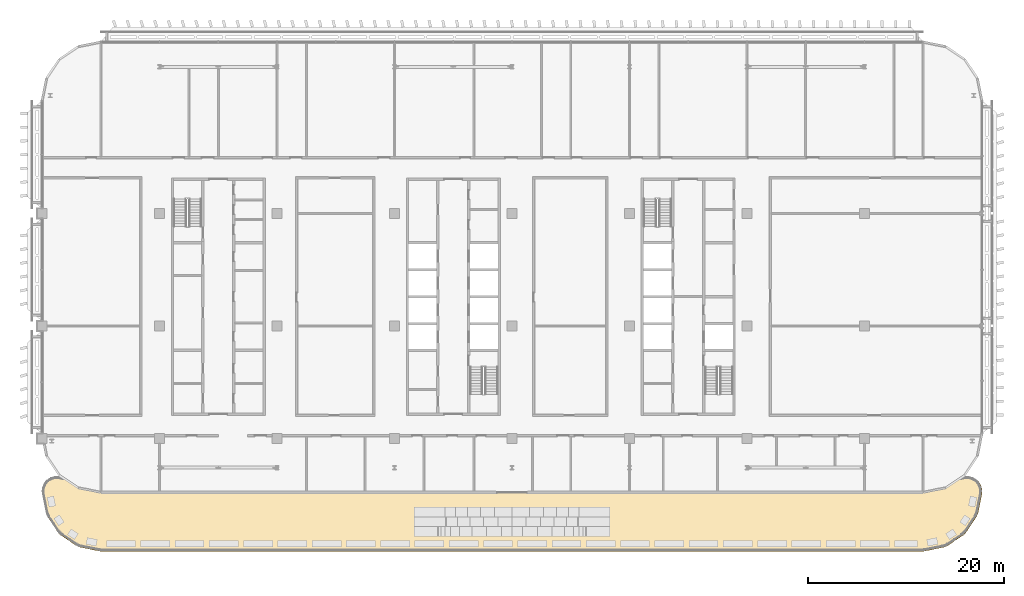
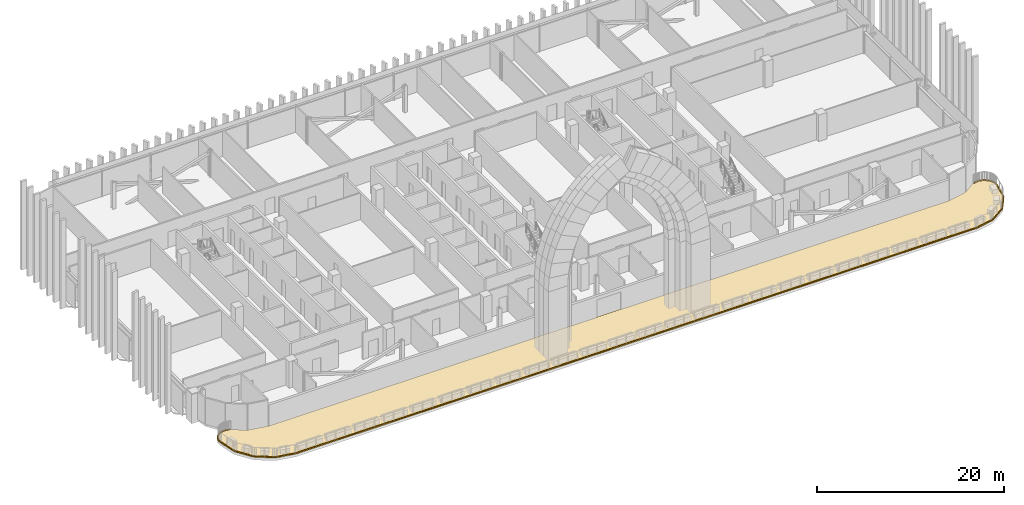
# One storey, part 24 of 30: 2 coverings.
"""IFC4 building model written with IfcOpenShell, lengths in metres."""

from ifc_helpers import new_model, si_unit, direction, frame, origin, place, context, subcontext, project, spatial, polyline, outline, extrude, material, layer, layer_set, type_object, element, save


model = new_model("IFC4")

# Units and contexts
model_context = context("Model", 3, precision=1e-05, world=origin(), true_north=direction((0.0, 1.0)))
body_context = subcontext(model_context, "Body", "Model", "MODEL_VIEW")
ifc_project = project(units=[si_unit("LENGTHUNIT", "METRE"), si_unit("AREAUNIT", "SQUARE_METRE"), si_unit("VOLUMEUNIT", "CUBIC_METRE"), si_unit("PLANEANGLEUNIT", "RADIAN"), si_unit("MASSUNIT", "GRAM", prefix="KILO")], contexts=[model_context])

# Site, building, storey
site_placement = place(None, origin())
site = spatial("IfcSite", under=ifc_project, at=site_placement, CompositionType="ELEMENT")
building_placement = place(site_placement, origin())
building = spatial("IfcBuilding", under=site, at=building_placement, Name="Mahtab Terrace Research Tower", CompositionType="ELEMENT")
storey_placement = place(building_placement, frame((0.0, 0.0, 228.60009765625)))
storey = spatial("IfcBuildingStorey", under=building, at=storey_placement, Name="L55", CompositionType="ELEMENT", Elevation=228.60009765625)

# Coverings
ifc_material_1 = material(Name="Precast concrete C40/50", Category="concrete")
ifc_layer_1 = layer(ifc_material_1, 0.199951171875)
ifc_layer_set_1 = layer_set([ifc_layer_1], Name="Precast coping 400")
covering_type_1 = type_object("IfcCoveringType", Name="Precast coping 400", PredefinedType="MOLDING", material=ifc_layer_set_1)
covering_1_placement = place(storey_placement, frame((0.0, 0.0, 0.02978515625)))
element("IfcCovering", 1, at=covering_1_placement, inside=storey, type_object=covering_type_1, Name="Terrace edge coping 6.1", PredefinedType="MOLDING", context=body_context, shape_type="SweptSolid", body=[
    extrude(outline(polyline([(-40.087890625, -15.5390625), (-40.221923828125, -15.5048828125), (-40.35791015625, -15.485107421875), (-40.4951171875, -15.47802734375), (-40.632080078125, -15.485107421875), (-40.76708984375, -15.5048828125), (-40.90087890625, -15.5390625), (-41.031005859375, -15.5849609375), (-41.155029296875, -15.64306640625), (-41.27197265625, -15.714111328125), (-41.383056640625, -15.797119140625), (-41.485107421875, -15.887939453125), (-41.575927734375, -15.989990234375), (-41.658935546875, -16.10107421875), (-41.72998046875, -16.218017578125), (-41.7880859375, -16.342041015625), (-41.833984375, -16.471923828125), (-41.867919921875, -16.60595703125), (-41.887939453125, -16.740966796875), (-41.89501953125, -16.8779296875), (-41.887939453125, -17.014892578125), (-41.866943359375, -17.154052734375), (-41.5029296875, -18.98095703125), (-41.469970703125, -19.116943359375), (-41.424072265625, -19.2470703125), (-41.364990234375, -19.37109375), (-41.29296875, -19.490966796875), (-40.325927734375, -20.93798828125), (-40.243896484375, -21.050048828125), (-40.15087890625, -21.15087890625), (-40.050048828125, -21.243896484375), (-39.93798828125, -21.325927734375), (-38.490966796875, -22.29296875), (-38.37109375, -22.364990234375), (-38.2470703125, -22.424072265625), (-38.116943359375, -22.469970703125), (-37.98095703125, -22.5029296875), (-36.1279296875, -22.8720703125), (-35.989013671875, -22.89306640625), (-35.85009765625, -22.89990234375), (47.85009765625, -22.89990234375), (47.989013671875, -22.89306640625), (48.1279296875, -22.8720703125), (49.98095703125, -22.5029296875), (50.116943359375, -22.469970703125), (50.2470703125, -22.424072265625), (50.37109375, -22.364990234375), (50.490966796875, -22.29296875), (51.93798828125, -21.325927734375), (52.050048828125, -21.243896484375), (52.15087890625, -21.15087890625), (52.243896484375, -21.050048828125), (52.325927734375, -20.93798828125), (53.29296875, -19.490966796875), (53.364990234375, -19.37109375), (53.424072265625, -19.2470703125), (53.469970703125, -19.116943359375), (53.5029296875, -18.98095703125), (53.866943359375, -17.154052734375), (53.887939453125, -17.014892578125), (53.89501953125, -16.8779296875), (53.887939453125, -16.740966796875), (53.867919921875, -16.60595703125), (53.833984375, -16.471923828125), (53.7880859375, -16.342041015625), (53.72998046875, -16.218017578125), (53.658935546875, -16.10107421875), (53.575927734375, -15.989990234375), (53.485107421875, -15.887939453125), (53.383056640625, -15.797119140625), (53.27197265625, -15.714111328125), (53.155029296875, -15.64306640625), (53.031005859375, -15.5849609375), (52.90087890625, -15.5390625), (52.76708984375, -15.5048828125), (52.632080078125, -15.485107421875), (52.4951171875, -15.47802734375), (52.35791015625, -15.485107421875), (52.221923828125, -15.5048828125), (52.087890625, -15.5390625), (51.9609375, -15.583984375), (51.927978515625, -15.489990234375), (52.056884765625, -15.444091796875), (52.06103515625, -15.44189453125), (52.199951171875, -15.407958984375), (52.2041015625, -15.406982421875), (52.344970703125, -15.385009765625), (52.35107421875, -15.385009765625), (52.492919921875, -15.3779296875), (52.4970703125, -15.3779296875), (52.638916015625, -15.385009765625), (52.64501953125, -15.385009765625), (52.784912109375, -15.406982421875), (52.7890625, -15.407958984375), (52.927978515625, -15.44189453125), (52.931884765625, -15.444091796875), (53.06689453125, -15.490966796875), (53.071044921875, -15.492919921875), (53.199951171875, -15.553955078125), (53.2041015625, -15.555908203125), (53.325927734375, -15.6298828125), (53.330078125, -15.632080078125), (53.444091796875, -15.718017578125), (53.447998046875, -15.719970703125), (53.553955078125, -15.81494140625), (53.55810546875, -15.819091796875), (53.653076171875, -15.925048828125), (53.655029296875, -15.928955078125), (53.740966796875, -16.04296875), (53.742919921875, -16.047119140625), (53.81689453125, -16.1689453125), (53.819091796875, -16.173095703125), (53.8798828125, -16.302001953125), (53.882080078125, -16.305908203125), (53.928955078125, -16.44091796875), (53.930908203125, -16.445068359375), (53.965087890625, -16.583984375), (53.966064453125, -16.587890625), (53.988037109375, -16.72802734375), (53.988037109375, -16.73388671875), (53.9951171875, -16.8759765625), (53.9951171875, -16.8798828125), (53.988037109375, -17.02197265625), (53.988037109375, -17.028076171875), (53.966064453125, -17.169921875), (53.966064453125, -17.172119140625), (53.60107421875, -19.001953125), (53.60107421875, -19.00390625), (53.56689453125, -19.14306640625), (53.56494140625, -19.14794921875), (53.51708984375, -19.282958984375), (53.514892578125, -19.287109375), (53.4541015625, -19.416015625), (53.451904296875, -19.419921875), (53.37890625, -19.54296875), (53.376953125, -19.544921875), (52.408935546875, -20.993896484375), (52.406982421875, -20.99609375), (52.322998046875, -21.111083984375), (52.319091796875, -21.114990234375), (52.22412109375, -21.219970703125), (52.219970703125, -21.22412109375), (52.114990234375, -21.319091796875), (52.111083984375, -21.322998046875), (51.99609375, -21.406982421875), (51.993896484375, -21.408935546875), (50.544921875, -22.376953125), (50.54296875, -22.37890625), (50.419921875, -22.451904296875), (50.416015625, -22.4541015625), (50.287109375, -22.514892578125), (50.282958984375, -22.51708984375), (50.14794921875, -22.56494140625), (50.14306640625, -22.56689453125), (50.00390625, -22.60107421875), (50.001953125, -22.60107421875), (48.14599609375, -22.970947265625), (48.14404296875, -22.970947265625), (48.001953125, -22.992919921875), (47.99609375, -22.992919921875), (47.85302734375, -23.0), (47.85107421875, -23.0), (-35.85107421875, -23.0), (-35.85302734375, -23.0), (-35.99609375, -22.992919921875), (-36.001953125, -22.992919921875), (-36.14404296875, -22.970947265625), (-36.14599609375, -22.970947265625), (-38.001953125, -22.60107421875), (-38.00390625, -22.60107421875), (-38.14306640625, -22.56689453125), (-38.14794921875, -22.56494140625), (-38.282958984375, -22.51708984375), (-38.287109375, -22.514892578125), (-38.416015625, -22.4541015625), (-38.419921875, -22.451904296875), (-38.54296875, -22.37890625), (-38.544921875, -22.376953125), (-39.993896484375, -21.408935546875), (-39.99609375, -21.406982421875), (-40.111083984375, -21.322998046875), (-40.114990234375, -21.319091796875), (-40.219970703125, -21.22412109375), (-40.22412109375, -21.219970703125), (-40.319091796875, -21.114990234375), (-40.322998046875, -21.111083984375), (-40.406982421875, -20.99609375), (-40.408935546875, -20.993896484375), (-41.376953125, -19.544921875), (-41.37890625, -19.54296875), (-41.451904296875, -19.419921875), (-41.4541015625, -19.416015625), (-41.514892578125, -19.287109375), (-41.51708984375, -19.282958984375), (-41.56494140625, -19.14794921875), (-41.56689453125, -19.14306640625), (-41.60107421875, -19.00390625), (-41.60107421875, -19.001953125), (-41.966064453125, -17.172119140625), (-41.966064453125, -17.169921875), (-41.988037109375, -17.028076171875), (-41.988037109375, -17.02197265625), (-41.9951171875, -16.8798828125), (-41.9951171875, -16.8759765625), (-41.988037109375, -16.73388671875), (-41.988037109375, -16.72802734375), (-41.966064453125, -16.587890625), (-41.965087890625, -16.583984375), (-41.930908203125, -16.445068359375), (-41.928955078125, -16.44091796875), (-41.882080078125, -16.305908203125), (-41.8798828125, -16.302001953125), (-41.819091796875, -16.173095703125), (-41.81689453125, -16.1689453125), (-41.742919921875, -16.047119140625), (-41.740966796875, -16.04296875), (-41.655029296875, -15.928955078125), (-41.653076171875, -15.925048828125), (-41.55810546875, -15.819091796875), (-41.553955078125, -15.81494140625), (-41.447998046875, -15.719970703125), (-41.444091796875, -15.718017578125), (-41.330078125, -15.632080078125), (-41.325927734375, -15.6298828125), (-41.2041015625, -15.555908203125), (-41.199951171875, -15.553955078125), (-41.071044921875, -15.492919921875), (-41.06689453125, -15.490966796875), (-40.931884765625, -15.444091796875), (-40.927978515625, -15.44189453125), (-40.7890625, -15.407958984375), (-40.784912109375, -15.406982421875), (-40.64501953125, -15.385009765625), (-40.638916015625, -15.385009765625), (-40.4970703125, -15.3779296875), (-40.492919921875, -15.3779296875), (-40.35107421875, -15.385009765625), (-40.344970703125, -15.385009765625), (-40.2041015625, -15.406982421875), (-40.199951171875, -15.407958984375), (-40.06103515625, -15.44189453125), (-40.056884765625, -15.444091796875), (-39.927978515625, -15.489990234375), (-39.9609375, -15.583984375), (-40.087890625, -15.5390625)])), origin(), (0.0, 0.0, 1.0), 0.080078125),
])
ifc_material_2 = material(Name="Granite paving", Category="masonry")
ifc_layer_2 = layer(ifc_material_2, 0.030029296875)
ifc_layer_set_2 = layer_set([ifc_layer_2], Name="Terrace roof build-up with granite pavers")
covering_type_2 = type_object("IfcCoveringType", Name="Terrace roof build-up with granite pavers", PredefinedType="ROOFING", material=ifc_layer_set_2)
covering_2_placement = place(storey_placement, origin())
element("IfcCovering", 2, at=covering_2_placement, inside=storey, type_object=covering_type_2, Name="Terrace paving 6", PredefinedType="ROOFING", context=body_context, shape_type="SweptSolid", body=[
    extrude(outline(polyline([(-41.60107421875, -19.0029296875), (-41.56591796875, -19.14599609375), (-41.51611328125, -19.284912109375), (-41.452880859375, -19.41796875), (-41.3779296875, -19.5439453125), (-40.407958984375, -20.9951171875), (-40.321044921875, -21.113037109375), (-40.221923828125, -21.221923828125), (-40.113037109375, -21.321044921875), (-39.9951171875, -21.407958984375), (-38.5439453125, -22.3779296875), (-38.41796875, -22.452880859375), (-38.284912109375, -22.51611328125), (-38.14599609375, -22.56591796875), (-38.0029296875, -22.60107421875), (-36.14501953125, -22.970947265625), (-35.9990234375, -22.992919921875), (-35.85205078125, -23.0), (47.85205078125, -23.0), (47.9990234375, -22.992919921875), (48.14501953125, -22.970947265625), (50.0029296875, -22.60107421875), (50.14599609375, -22.56591796875), (50.284912109375, -22.51611328125), (50.41796875, -22.452880859375), (50.5439453125, -22.3779296875), (51.9951171875, -21.407958984375), (52.113037109375, -21.321044921875), (52.221923828125, -21.221923828125), (52.321044921875, -21.113037109375), (52.407958984375, -20.9951171875), (53.3779296875, -19.5439453125), (53.452880859375, -19.41796875), (53.51611328125, -19.284912109375), (53.56591796875, -19.14599609375), (53.60107421875, -19.0029296875), (53.966064453125, -17.1708984375), (53.988037109375, -17.02490234375), (53.9951171875, -16.8779296875), (53.988037109375, -16.73095703125), (53.966064453125, -16.5859375), (53.929931640625, -16.443115234375), (53.881103515625, -16.303955078125), (53.818115234375, -16.1708984375), (53.741943359375, -16.044921875), (53.654052734375, -15.927001953125), (53.555908203125, -15.81689453125), (53.446044921875, -15.718994140625), (53.327880859375, -15.631103515625), (53.201904296875, -15.554931640625), (53.069091796875, -15.491943359375), (52.929931640625, -15.443115234375), (52.787109375, -15.406982421875), (52.64208984375, -15.385009765625), (52.4951171875, -15.3779296875), (52.347900390625, -15.385009765625), (52.201904296875, -15.406982421875), (52.05908203125, -15.443115234375), (51.9208984375, -15.491943359375), (51.7880859375, -15.554931640625), (51.660888671875, -15.631103515625), (50.326904296875, -16.52294921875), (50.294921875, -16.5419921875), (50.260009765625, -16.550048828125), (48.035888671875, -16.992919921875), (48.0, -16.998046875), (47.962890625, -17.0), (-35.962890625, -17.0), (-36.0, -16.998046875), (-36.035888671875, -16.992919921875), (-38.260009765625, -16.550048828125), (-38.294921875, -16.5419921875), (-38.326904296875, -16.52294921875), (-39.660888671875, -15.631103515625), (-39.7880859375, -15.554931640625), (-39.9208984375, -15.491943359375), (-40.05908203125, -15.443115234375), (-40.201904296875, -15.406982421875), (-40.347900390625, -15.385009765625), (-40.4951171875, -15.3779296875), (-40.64208984375, -15.385009765625), (-40.787109375, -15.406982421875), (-40.929931640625, -15.443115234375), (-41.069091796875, -15.491943359375), (-41.201904296875, -15.554931640625), (-41.327880859375, -15.631103515625), (-41.446044921875, -15.718994140625), (-41.555908203125, -15.81689453125), (-41.654052734375, -15.927001953125), (-41.741943359375, -16.044921875), (-41.818115234375, -16.1708984375), (-41.881103515625, -16.303955078125), (-41.929931640625, -16.443115234375), (-41.966064453125, -16.5859375), (-41.988037109375, -16.73095703125), (-41.9951171875, -16.8779296875), (-41.988037109375, -17.02490234375), (-41.966064453125, -17.1708984375), (-41.60107421875, -19.0029296875)])), origin(), (0.0, 0.0, 1.0), 0.02978515625),
])

save(model, "model.ifc")
